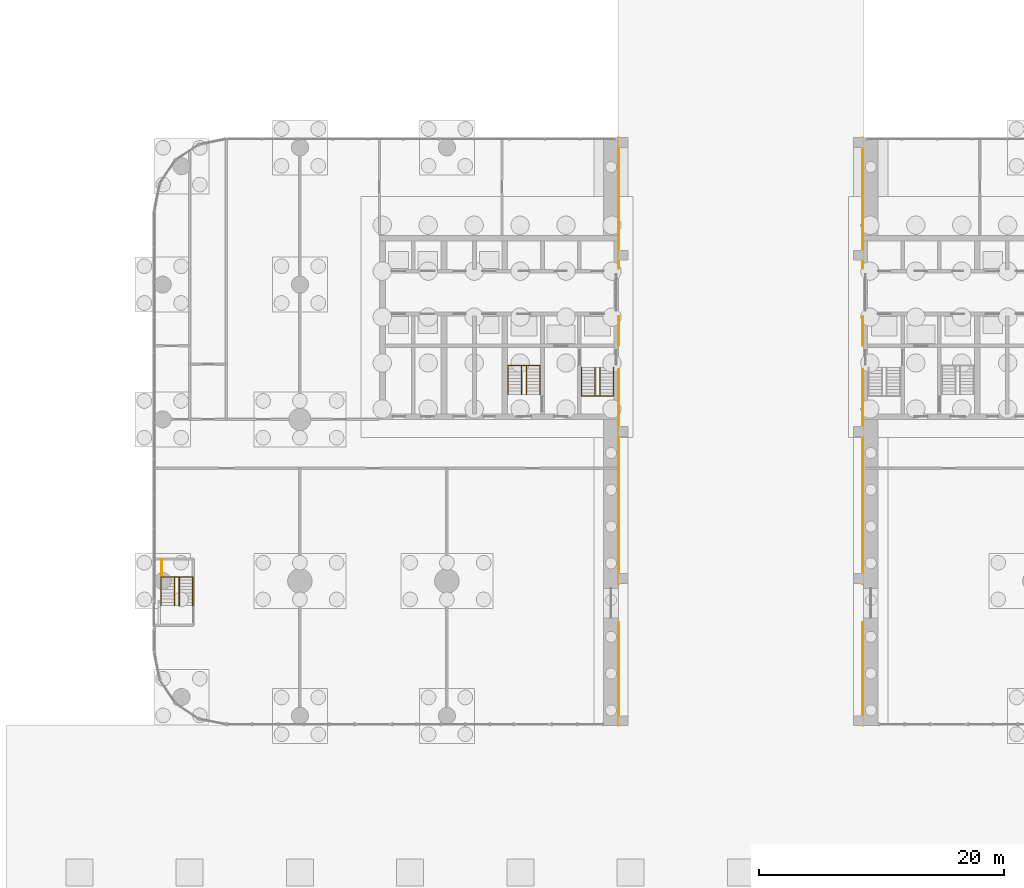
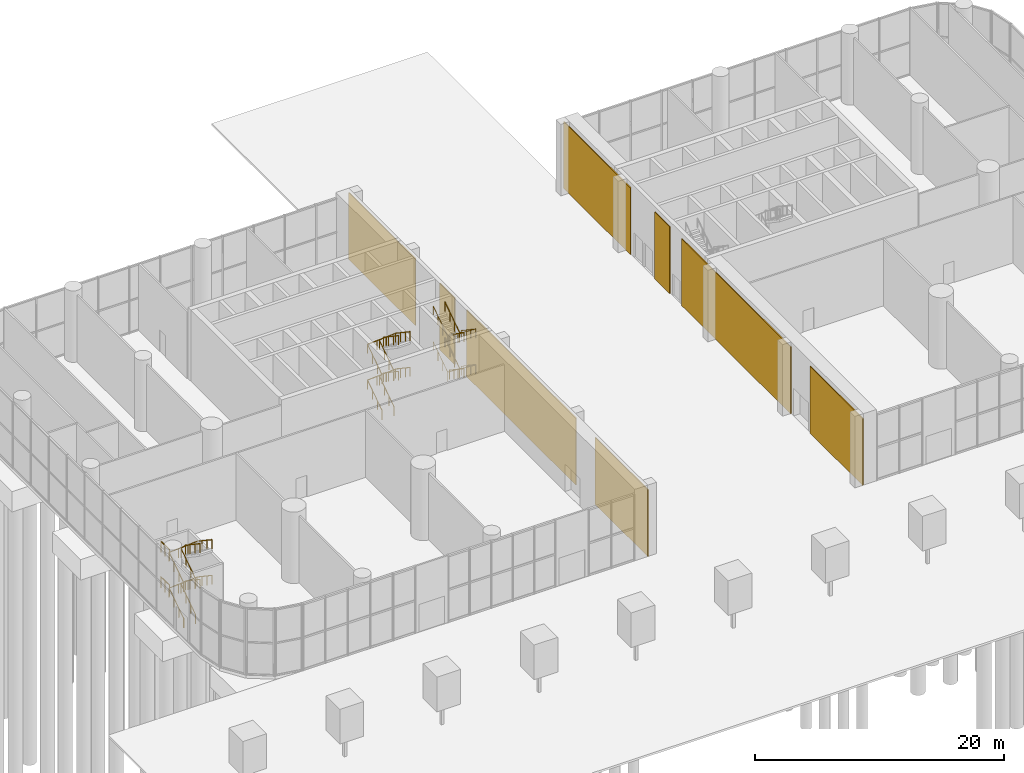
# One storey, part 23 of 26: 14 railings, 8 coverings.
"""IFC4 building model written with IfcOpenShell, lengths in metres."""

from ifc_helpers import new_model, si_unit, direction, frame, frame_2d, origin, origin_2d, place, context, subcontext, project, spatial, rectangle, circle, extrude, material, layer, layer_set, type_object, element, save


model = new_model("IFC4")

# Units and contexts
model_context = context("Model", 3, precision=1e-05, world=origin(), true_north=direction((0.0, 1.0)))
body_context = subcontext(model_context, "Body", "Model", "MODEL_VIEW")
ifc_project = project(units=[si_unit("LENGTHUNIT", "METRE"), si_unit("AREAUNIT", "SQUARE_METRE"), si_unit("VOLUMEUNIT", "CUBIC_METRE"), si_unit("PLANEANGLEUNIT", "RADIAN"), si_unit("MASSUNIT", "GRAM", prefix="KILO")], contexts=[model_context])

# Site, building, storey
site_placement = place(None, origin())
site = spatial("IfcSite", under=ifc_project, at=site_placement, CompositionType="ELEMENT")
building_placement = place(site_placement, origin())
building = spatial("IfcBuilding", under=site, at=building_placement, Name="Torana Hotel and Residences", CompositionType="ELEMENT")
storey_placement = place(building_placement, origin())
storey = spatial("IfcBuildingStorey", under=building, at=storey_placement, Name="L00", CompositionType="ELEMENT", Elevation=0.0)

# Coverings
ifc_material_1 = material(Name="Black metal cladding", Category="metal")
ifc_layer = layer(ifc_material_1, 0.080078125)
ifc_layer_set = layer_set([ifc_layer], Name="CL1 ARCH JAMB CLADDING 80")
covering_type = type_object("IfcCoveringType", Name="CL1 ARCH JAMB CLADDING 80", PredefinedType="CLADDING", material=ifc_layer_set)
covering_1_placement = place(storey_placement, frame((-9.9599609375, -40.0, 0.0), z_axis=(0.0, 0.0, 1.0), x_axis=(0.0, 1.0, 0.0)))
element("IfcCovering", 1, at=covering_1_placement, inside=storey, type_object=covering_type, Name="Arch jamb cladding L00 W", PredefinedType="CLADDING", context=body_context, shape_type="SweptSolid", body=[
    extrude(rectangle(XDim=8.449951171875, YDim=0.080078125, at=frame_2d((4.22509765625, 0.0))), origin(), (0.0, 0.0, 1.0), 6.550048828125),
])
covering_2_placement = place(storey_placement, frame((-9.9599609375, -28.449951171875, 0.0), z_axis=(0.0, 0.0, 1.0), x_axis=(0.0, 1.0, 0.0)))
element("IfcCovering", 2, at=covering_2_placement, inside=storey, type_object=covering_type, Name="Arch jamb cladding L00 W", PredefinedType="CLADDING", context=body_context, shape_type="SweptSolid", body=[
    extrude(rectangle(XDim=17.550048828125, YDim=0.080078125, at=frame_2d((8.77490234375, 0.0))), origin(), (0.0, 0.0, 1.0), 6.550048828125),
])
covering_3_placement = place(storey_placement, frame((-9.9599609375, -9.0, 0.0), z_axis=(0.0, 0.0, 1.0), x_axis=(0.0, 1.0, 0.0)))
element("IfcCovering", 3, at=covering_3_placement, inside=storey, type_object=covering_type, Name="Arch jamb cladding L00 W", PredefinedType="CLADDING", context=body_context, shape_type="SweptSolid", body=[
    extrude(rectangle(XDim=2.39990234375, YDim=0.080078125, at=frame_2d((1.199951171875, 0.0))), origin(), (0.0, 0.0, 1.0), 6.550048828125),
])
covering_4_placement = place(storey_placement, frame((-9.9599609375, -2.699951171875, 0.0), z_axis=(0.0, 0.0, 1.0), x_axis=(0.0, 1.0, 0.0)))
element("IfcCovering", 4, at=covering_4_placement, inside=storey, type_object=covering_type, Name="Arch jamb cladding L00 W", PredefinedType="CLADDING", context=body_context, shape_type="SweptSolid", body=[
    extrude(rectangle(XDim=10.699951171875, YDim=0.080078125, at=frame_2d((5.35009765625, 0.0))), origin(), (0.0, 0.0, 1.0), 6.550048828125),
])
covering_5_placement = place(storey_placement, frame((9.9599609375, -40.0, 0.0), z_axis=(0.0, 0.0, 1.0), x_axis=(0.0, 1.0, 0.0)))
element("IfcCovering", 5, at=covering_5_placement, inside=storey, type_object=covering_type, Name="Arch jamb cladding L00 E", PredefinedType="CLADDING", context=body_context, shape_type="SweptSolid", body=[
    extrude(rectangle(XDim=8.449951171875, YDim=0.080078125, at=frame_2d((4.22509765625, 0.0))), origin(), (0.0, 0.0, 1.0), 6.550048828125),
])
covering_6_placement = place(storey_placement, frame((9.9599609375, -28.449951171875, 0.0), z_axis=(0.0, 0.0, 1.0), x_axis=(0.0, 1.0, 0.0)))
element("IfcCovering", 6, at=covering_6_placement, inside=storey, type_object=covering_type, Name="Arch jamb cladding L00 E", PredefinedType="CLADDING", context=body_context, shape_type="SweptSolid", body=[
    extrude(rectangle(XDim=17.550048828125, YDim=0.080078125, at=frame_2d((8.77490234375, 0.0))), origin(), (0.0, 0.0, 1.0), 6.550048828125),
])
covering_7_placement = place(storey_placement, frame((9.9599609375, -9.0, 0.0), z_axis=(0.0, 0.0, 1.0), x_axis=(0.0, 1.0, 0.0)))
element("IfcCovering", 7, at=covering_7_placement, inside=storey, type_object=covering_type, Name="Arch jamb cladding L00 E", PredefinedType="CLADDING", context=body_context, shape_type="SweptSolid", body=[
    extrude(rectangle(XDim=2.39990234375, YDim=0.080078125, at=frame_2d((1.199951171875, 0.0))), origin(), (0.0, 0.0, 1.0), 6.550048828125),
])
covering_8_placement = place(storey_placement, frame((9.9599609375, -2.699951171875, 0.0), z_axis=(0.0, 0.0, 1.0), x_axis=(0.0, 1.0, 0.0)))
element("IfcCovering", 8, at=covering_8_placement, inside=storey, type_object=covering_type, Name="Arch jamb cladding L00 E", PredefinedType="CLADDING", context=body_context, shape_type="SweptSolid", body=[
    extrude(rectangle(XDim=10.699951171875, YDim=0.080078125, at=frame_2d((5.35009765625, 0.0))), origin(), (0.0, 0.0, 1.0), 6.550048828125),
])

# Railings
ifc_material_2 = material(Name="Steel S355", Category="steel")
railing_type_1 = type_object("IfcRailingType", Name="STAIR GUARD GR2 1100", PredefinedType="GUARDRAIL", material=ifc_material_2)
for number, where, name in (
    (9, (-47.280029296875, -27.760009765625, 1.75), "Stair guard ST5 L00 landing 1"),
    (10, (-47.280029296875, -27.760009765625, 5.25), "Stair guard ST5 L00 landing 2"),
):
    element("IfcRailing", number, at=place(storey_placement, frame(where)), inside=storey, type_object=railing_type_1, Name=name, PredefinedType="GUARDRAIL", context=body_context, shape_type="SweptSolid", body=[
        extrude(circle(Radius=0.02392578125, at=origin_2d()), frame((0.0, 0.0, 1.076171875), z_axis=(0.0, 1.0, 0.0), x_axis=(-1.0, 0.0, 0.0)), (0.0, 0.0, 1.0), 1.360107421875),
        extrude(circle(Radius=0.02099609375, at=origin_2d()), origin(), (0.0, 0.0, 1.0), 1.052001953125),
        extrude(circle(Radius=0.02099609375, at=origin_2d()), frame((0.0, 0.68017578125, 0.0)), (0.0, 0.0, 1.0), 1.052001953125),
        extrude(circle(Radius=0.02099609375, at=origin_2d()), frame((0.0, 1.360107421875, 0.0)), (0.0, 0.0, 1.0), 1.052001953125),
    ])
ifc_material_3 = material(Name="Stainless steel 316", Category="steel")
railing_type_2 = type_object("IfcRailingType", Name="STAIR HANDRAIL HR1 900", PredefinedType="HANDRAIL", material=ifc_material_3)
railing_1_placement = place(storey_placement, frame((-10.39990234375, -10.75, 0.175048828125)))
element("IfcRailing", 11, at=railing_1_placement, inside=storey, type_object=railing_type_2, Name="Handrail ST1 L00 O1", PredefinedType="HANDRAIL", context=body_context, shape_type="SweptSolid", body=[
    extrude(circle(Radius=0.02392578125, at=origin_2d()), frame((0.0, 0.0, 0.8759765625), z_axis=(0.0, -0.829605480656, 0.558350021462), x_axis=(1.0, 0.0, 0.0)), (0.0, 0.0, 1.0), 2.82080078125),
    extrude(circle(Radius=0.02392578125, at=origin_2d()), frame((0.0, -2.340087890625, 2.45068359375), z_axis=(-0.997741418201, 0.0, 0.067171887028), x_axis=(0.0, -1.0, 0.0)), (0.0, 0.0, 1.0), 2.60595703125),
    extrude(circle(Radius=0.02392578125, at=origin_2d()), frame((-2.60009765625, -2.340087890625, 2.6259765625), z_axis=(0.0, 0.829605480656, 0.558350021462), x_axis=(-1.0, 0.0, 0.0)), (0.0, 0.0, 1.0), 2.82080078125),
    extrude(circle(Radius=0.02099609375, at=origin_2d()), origin(), (0.0, 0.0, 1.0), 0.851806640625),
    extrude(circle(Radius=0.02099609375, at=origin_2d()), frame((0.0, -0.780029296875, 0.52490234375)), (0.0, 0.0, 1.0), 0.851806640625),
    extrude(circle(Radius=0.02099609375, at=origin_2d()), frame((0.0, -1.56005859375, 1.050048828125)), (0.0, 0.0, 1.0), 0.851806640625),
    extrude(circle(Radius=0.02099609375, at=origin_2d()), frame((0.0, -2.340087890625, 1.574951171875)), (0.0, 0.0, 1.0), 0.851806640625),
    extrude(circle(Radius=0.02099609375, at=origin_2d()), frame((-0.86669921875, -2.340087890625, 1.63330078125)), (0.0, 0.0, 1.0), 0.851806640625),
    extrude(circle(Radius=0.02099609375, at=origin_2d()), frame((-1.7333984375, -2.340087890625, 1.691650390625)), (0.0, 0.0, 1.0), 0.851806640625),
    extrude(circle(Radius=0.02099609375, at=origin_2d()), frame((-2.60009765625, -2.340087890625, 1.75)), (0.0, 0.0, 1.0), 0.851806640625),
    extrude(circle(Radius=0.02099609375, at=origin_2d()), frame((-2.60009765625, -1.56005859375, 2.27490234375)), (0.0, 0.0, 1.0), 0.851806640625),
    extrude(circle(Radius=0.02099609375, at=origin_2d()), frame((-2.60009765625, -0.780029296875, 2.800048828125)), (0.0, 0.0, 1.0), 0.851806640625),
    extrude(circle(Radius=0.02099609375, at=origin_2d()), frame((-2.60009765625, 0.0, 3.324951171875)), (0.0, 0.0, 1.0), 0.851806640625),
])
railing_2_placement = place(storey_placement, frame((-11.5, -10.75, 0.175048828125)))
element("IfcRailing", 12, at=railing_2_placement, inside=storey, type_object=railing_type_2, Name="Handrail ST1 L00 I1", PredefinedType="HANDRAIL", context=body_context, shape_type="SweptSolid", body=[
    extrude(circle(Radius=0.02392578125, at=origin_2d()), frame((0.0, 0.0, 0.8759765625), z_axis=(0.0, -0.829605480656, 0.558350021462), x_axis=(1.0, 0.0, 0.0)), (0.0, 0.0, 1.0), 2.82080078125),
    extrude(circle(Radius=0.02392578125, at=origin_2d()), frame((0.0, -2.340087890625, 2.45068359375), z_axis=(-0.916080304094, 0.0, 0.400994858385), x_axis=(0.0, -1.0, 0.0)), (0.0, 0.0, 1.0), 0.4365234375),
    extrude(circle(Radius=0.02392578125, at=origin_2d()), frame((-0.39990234375, -2.340087890625, 2.6259765625), z_axis=(0.0, 0.829605480656, 0.558350021462), x_axis=(-1.0, 0.0, 0.0)), (0.0, 0.0, 1.0), 2.82080078125),
    extrude(circle(Radius=0.02099609375, at=origin_2d()), origin(), (0.0, 0.0, 1.0), 0.851806640625),
    extrude(circle(Radius=0.02099609375, at=origin_2d()), frame((0.0, -0.780029296875, 0.52490234375)), (0.0, 0.0, 1.0), 0.851806640625),
    extrude(circle(Radius=0.02099609375, at=origin_2d()), frame((0.0, -1.56005859375, 1.050048828125)), (0.0, 0.0, 1.0), 0.851806640625),
    extrude(circle(Radius=0.02099609375, at=origin_2d()), frame((0.0, -2.340087890625, 1.574951171875)), (0.0, 0.0, 1.0), 0.851806640625),
    extrude(circle(Radius=0.02099609375, at=origin_2d()), frame((-0.39990234375, -2.340087890625, 1.75)), (0.0, 0.0, 1.0), 0.851806640625),
    extrude(circle(Radius=0.02099609375, at=origin_2d()), frame((-0.39990234375, -1.56005859375, 2.27490234375)), (0.0, 0.0, 1.0), 0.851806640625),
    extrude(circle(Radius=0.02099609375, at=origin_2d()), frame((-0.39990234375, -0.780029296875, 2.800048828125)), (0.0, 0.0, 1.0), 0.851806640625),
    extrude(circle(Radius=0.02099609375, at=origin_2d()), frame((-0.39990234375, 0.0, 3.324951171875)), (0.0, 0.0, 1.0), 0.851806640625),
])
railing_3_placement = place(storey_placement, frame((-10.39990234375, -10.75, 3.675048828125)))
element("IfcRailing", 13, at=railing_3_placement, inside=storey, type_object=railing_type_2, Name="Handrail ST1 L00 O2", PredefinedType="HANDRAIL", context=body_context, shape_type="SweptSolid", body=[
    extrude(circle(Radius=0.02392578125, at=origin_2d()), frame((0.0, 0.0, 0.8759765625), z_axis=(0.0, -0.829605480656, 0.558350021462), x_axis=(1.0, 0.0, 0.0)), (0.0, 0.0, 1.0), 2.82080078125),
    extrude(circle(Radius=0.02392578125, at=origin_2d()), frame((0.0, -2.340087890625, 2.45068359375), z_axis=(-0.997741418201, 0.0, 0.067171887028), x_axis=(0.0, -1.0, 0.0)), (0.0, 0.0, 1.0), 2.60595703125),
    extrude(circle(Radius=0.02392578125, at=origin_2d()), frame((-2.60009765625, -2.340087890625, 2.6259765625), z_axis=(0.0, 0.829605480656, 0.558350021462), x_axis=(-1.0, 0.0, 0.0)), (0.0, 0.0, 1.0), 2.82080078125),
    extrude(circle(Radius=0.02099609375, at=origin_2d()), origin(), (0.0, 0.0, 1.0), 0.851806640625),
    extrude(circle(Radius=0.02099609375, at=origin_2d()), frame((0.0, -0.780029296875, 0.52490234375)), (0.0, 0.0, 1.0), 0.851806640625),
    extrude(circle(Radius=0.02099609375, at=origin_2d()), frame((0.0, -1.56005859375, 1.050048828125)), (0.0, 0.0, 1.0), 0.851806640625),
    extrude(circle(Radius=0.02099609375, at=origin_2d()), frame((0.0, -2.340087890625, 1.574951171875)), (0.0, 0.0, 1.0), 0.851806640625),
    extrude(circle(Radius=0.02099609375, at=origin_2d()), frame((-0.86669921875, -2.340087890625, 1.63330078125)), (0.0, 0.0, 1.0), 0.851806640625),
    extrude(circle(Radius=0.02099609375, at=origin_2d()), frame((-1.7333984375, -2.340087890625, 1.691650390625)), (0.0, 0.0, 1.0), 0.851806640625),
    extrude(circle(Radius=0.02099609375, at=origin_2d()), frame((-2.60009765625, -2.340087890625, 1.75)), (0.0, 0.0, 1.0), 0.851806640625),
    extrude(circle(Radius=0.02099609375, at=origin_2d()), frame((-2.60009765625, -1.56005859375, 2.27490234375)), (0.0, 0.0, 1.0), 0.851806640625),
    extrude(circle(Radius=0.02099609375, at=origin_2d()), frame((-2.60009765625, -0.780029296875, 2.800048828125)), (0.0, 0.0, 1.0), 0.851806640625),
    extrude(circle(Radius=0.02099609375, at=origin_2d()), frame((-2.60009765625, 0.0, 3.324951171875)), (0.0, 0.0, 1.0), 0.851806640625),
])
railing_4_placement = place(storey_placement, frame((-11.5, -10.75, 3.675048828125)))
element("IfcRailing", 14, at=railing_4_placement, inside=storey, type_object=railing_type_2, Name="Handrail ST1 L00 I2", PredefinedType="HANDRAIL", context=body_context, shape_type="SweptSolid", body=[
    extrude(circle(Radius=0.02392578125, at=origin_2d()), frame((0.0, 0.0, 0.8759765625), z_axis=(0.0, -0.829605480656, 0.558350021462), x_axis=(1.0, 0.0, 0.0)), (0.0, 0.0, 1.0), 2.82080078125),
    extrude(circle(Radius=0.02392578125, at=origin_2d()), frame((0.0, -2.340087890625, 2.45068359375), z_axis=(-0.916080304094, 0.0, 0.400994858385), x_axis=(0.0, -1.0, 0.0)), (0.0, 0.0, 1.0), 0.4365234375),
    extrude(circle(Radius=0.02392578125, at=origin_2d()), frame((-0.39990234375, -2.340087890625, 2.6259765625), z_axis=(0.0, 0.829605480656, 0.558350021462), x_axis=(-1.0, 0.0, 0.0)), (0.0, 0.0, 1.0), 2.82080078125),
    extrude(circle(Radius=0.02099609375, at=origin_2d()), origin(), (0.0, 0.0, 1.0), 0.851806640625),
    extrude(circle(Radius=0.02099609375, at=origin_2d()), frame((0.0, -0.780029296875, 0.52490234375)), (0.0, 0.0, 1.0), 0.851806640625),
    extrude(circle(Radius=0.02099609375, at=origin_2d()), frame((0.0, -1.56005859375, 1.050048828125)), (0.0, 0.0, 1.0), 0.851806640625),
    extrude(circle(Radius=0.02099609375, at=origin_2d()), frame((0.0, -2.340087890625, 1.574951171875)), (0.0, 0.0, 1.0), 0.851806640625),
    extrude(circle(Radius=0.02099609375, at=origin_2d()), frame((-0.39990234375, -2.340087890625, 1.75)), (0.0, 0.0, 1.0), 0.851806640625),
    extrude(circle(Radius=0.02099609375, at=origin_2d()), frame((-0.39990234375, -1.56005859375, 2.27490234375)), (0.0, 0.0, 1.0), 0.851806640625),
    extrude(circle(Radius=0.02099609375, at=origin_2d()), frame((-0.39990234375, -0.780029296875, 2.800048828125)), (0.0, 0.0, 1.0), 0.851806640625),
    extrude(circle(Radius=0.02099609375, at=origin_2d()), frame((-0.39990234375, 0.0, 3.324951171875)), (0.0, 0.0, 1.0), 0.851806640625),
])
railing_5_placement = place(storey_placement, frame((-19.0, -12.949951171875, 0.175048828125)))
element("IfcRailing", 15, at=railing_5_placement, inside=storey, type_object=railing_type_2, Name="Handrail ST2 L00 O1", PredefinedType="HANDRAIL", context=body_context, shape_type="SweptSolid", body=[
    extrude(circle(Radius=0.02392578125, at=origin_2d()), frame((0.0, 0.0, 0.8759765625), z_axis=(0.0, 0.829578494604, 0.558390115681), x_axis=(-1.0, 0.0, 0.0)), (0.0, 0.0, 1.0), 2.820556640625),
    extrude(circle(Radius=0.02392578125, at=origin_2d()), frame((0.0, 2.33984375, 2.45068359375), z_axis=(0.997741418201, 0.0, 0.067171887028), x_axis=(0.0, 1.0, 0.0)), (0.0, 0.0, 1.0), 2.60595703125),
    extrude(circle(Radius=0.02392578125, at=origin_2d()), frame((2.60009765625, 2.33984375, 2.6259765625), z_axis=(0.0, -0.829578494604, 0.558390115681), x_axis=(1.0, 0.0, 0.0)), (0.0, 0.0, 1.0), 2.820556640625),
    extrude(circle(Radius=0.02099609375, at=origin_2d()), origin(), (0.0, 0.0, 1.0), 0.851806640625),
    extrude(circle(Radius=0.02099609375, at=origin_2d()), frame((0.0, 0.780029296875, 0.52490234375)), (0.0, 0.0, 1.0), 0.851806640625),
    extrude(circle(Radius=0.02099609375, at=origin_2d()), frame((0.0, 1.559814453125, 1.050048828125)), (0.0, 0.0, 1.0), 0.851806640625),
    extrude(circle(Radius=0.02099609375, at=origin_2d()), frame((0.0, 2.33984375, 1.574951171875)), (0.0, 0.0, 1.0), 0.851806640625),
    extrude(circle(Radius=0.02099609375, at=origin_2d()), frame((0.86669921875, 2.33984375, 1.63330078125)), (0.0, 0.0, 1.0), 0.851806640625),
    extrude(circle(Radius=0.02099609375, at=origin_2d()), frame((1.7333984375, 2.33984375, 1.691650390625)), (0.0, 0.0, 1.0), 0.851806640625),
    extrude(circle(Radius=0.02099609375, at=origin_2d()), frame((2.60009765625, 2.33984375, 1.75)), (0.0, 0.0, 1.0), 0.851806640625),
    extrude(circle(Radius=0.02099609375, at=origin_2d()), frame((2.60009765625, 1.559814453125, 2.27490234375)), (0.0, 0.0, 1.0), 0.851806640625),
    extrude(circle(Radius=0.02099609375, at=origin_2d()), frame((2.60009765625, 0.780029296875, 2.800048828125)), (0.0, 0.0, 1.0), 0.851806640625),
    extrude(circle(Radius=0.02099609375, at=origin_2d()), frame((2.60009765625, 0.0, 3.324951171875)), (0.0, 0.0, 1.0), 0.851806640625),
])
railing_6_placement = place(storey_placement, frame((-17.89990234375, -12.949951171875, 0.175048828125)))
element("IfcRailing", 16, at=railing_6_placement, inside=storey, type_object=railing_type_2, Name="Handrail ST2 L00 I1", PredefinedType="HANDRAIL", context=body_context, shape_type="SweptSolid", body=[
    extrude(circle(Radius=0.02392578125, at=origin_2d()), frame((0.0, 0.0, 0.8759765625), z_axis=(0.0, 0.829578494604, 0.558390115681), x_axis=(-1.0, 0.0, 0.0)), (0.0, 0.0, 1.0), 2.820556640625),
    extrude(circle(Radius=0.02392578125, at=origin_2d()), frame((0.0, 2.33984375, 2.45068359375), z_axis=(0.916080304094, 0.0, 0.400994858385), x_axis=(0.0, 1.0, 0.0)), (0.0, 0.0, 1.0), 0.4365234375),
    extrude(circle(Radius=0.02392578125, at=origin_2d()), frame((0.39990234375, 2.33984375, 2.6259765625), z_axis=(0.0, -0.829578494604, 0.558390115681), x_axis=(1.0, 0.0, 0.0)), (0.0, 0.0, 1.0), 2.820556640625),
    extrude(circle(Radius=0.02099609375, at=origin_2d()), origin(), (0.0, 0.0, 1.0), 0.851806640625),
    extrude(circle(Radius=0.02099609375, at=origin_2d()), frame((0.0, 0.780029296875, 0.52490234375)), (0.0, 0.0, 1.0), 0.851806640625),
    extrude(circle(Radius=0.02099609375, at=origin_2d()), frame((0.0, 1.559814453125, 1.050048828125)), (0.0, 0.0, 1.0), 0.851806640625),
    extrude(circle(Radius=0.02099609375, at=origin_2d()), frame((0.0, 2.33984375, 1.574951171875)), (0.0, 0.0, 1.0), 0.851806640625),
    extrude(circle(Radius=0.02099609375, at=origin_2d()), frame((0.39990234375, 2.33984375, 1.75)), (0.0, 0.0, 1.0), 0.851806640625),
    extrude(circle(Radius=0.02099609375, at=origin_2d()), frame((0.39990234375, 1.559814453125, 2.27490234375)), (0.0, 0.0, 1.0), 0.851806640625),
    extrude(circle(Radius=0.02099609375, at=origin_2d()), frame((0.39990234375, 0.780029296875, 2.800048828125)), (0.0, 0.0, 1.0), 0.851806640625),
    extrude(circle(Radius=0.02099609375, at=origin_2d()), frame((0.39990234375, 0.0, 3.324951171875)), (0.0, 0.0, 1.0), 0.851806640625),
])
railing_7_placement = place(storey_placement, frame((-19.0, -12.949951171875, 3.675048828125)))
element("IfcRailing", 17, at=railing_7_placement, inside=storey, type_object=railing_type_2, Name="Handrail ST2 L00 O2", PredefinedType="HANDRAIL", context=body_context, shape_type="SweptSolid", body=[
    extrude(circle(Radius=0.02392578125, at=origin_2d()), frame((0.0, 0.0, 0.8759765625), z_axis=(0.0, 0.829578494604, 0.558390115681), x_axis=(-1.0, 0.0, 0.0)), (0.0, 0.0, 1.0), 2.820556640625),
    extrude(circle(Radius=0.02392578125, at=origin_2d()), frame((0.0, 2.33984375, 2.45068359375), z_axis=(0.997741418201, 0.0, 0.067171887028), x_axis=(0.0, 1.0, 0.0)), (0.0, 0.0, 1.0), 2.60595703125),
    extrude(circle(Radius=0.02392578125, at=origin_2d()), frame((2.60009765625, 2.33984375, 2.6259765625), z_axis=(0.0, -0.829578494604, 0.558390115681), x_axis=(1.0, 0.0, 0.0)), (0.0, 0.0, 1.0), 2.820556640625),
    extrude(circle(Radius=0.02099609375, at=origin_2d()), origin(), (0.0, 0.0, 1.0), 0.851806640625),
    extrude(circle(Radius=0.02099609375, at=origin_2d()), frame((0.0, 0.780029296875, 0.52490234375)), (0.0, 0.0, 1.0), 0.851806640625),
    extrude(circle(Radius=0.02099609375, at=origin_2d()), frame((0.0, 1.559814453125, 1.050048828125)), (0.0, 0.0, 1.0), 0.851806640625),
    extrude(circle(Radius=0.02099609375, at=origin_2d()), frame((0.0, 2.33984375, 1.574951171875)), (0.0, 0.0, 1.0), 0.851806640625),
    extrude(circle(Radius=0.02099609375, at=origin_2d()), frame((0.86669921875, 2.33984375, 1.63330078125)), (0.0, 0.0, 1.0), 0.851806640625),
    extrude(circle(Radius=0.02099609375, at=origin_2d()), frame((1.7333984375, 2.33984375, 1.691650390625)), (0.0, 0.0, 1.0), 0.851806640625),
    extrude(circle(Radius=0.02099609375, at=origin_2d()), frame((2.60009765625, 2.33984375, 1.75)), (0.0, 0.0, 1.0), 0.851806640625),
    extrude(circle(Radius=0.02099609375, at=origin_2d()), frame((2.60009765625, 1.559814453125, 2.27490234375)), (0.0, 0.0, 1.0), 0.851806640625),
    extrude(circle(Radius=0.02099609375, at=origin_2d()), frame((2.60009765625, 0.780029296875, 2.800048828125)), (0.0, 0.0, 1.0), 0.851806640625),
    extrude(circle(Radius=0.02099609375, at=origin_2d()), frame((2.60009765625, 0.0, 3.324951171875)), (0.0, 0.0, 1.0), 0.851806640625),
])
railing_8_placement = place(storey_placement, frame((-17.89990234375, -12.949951171875, 3.675048828125)))
element("IfcRailing", 18, at=railing_8_placement, inside=storey, type_object=railing_type_2, Name="Handrail ST2 L00 I2", PredefinedType="HANDRAIL", context=body_context, shape_type="SweptSolid", body=[
    extrude(circle(Radius=0.02392578125, at=origin_2d()), frame((0.0, 0.0, 0.8759765625), z_axis=(0.0, 0.829578494604, 0.558390115681), x_axis=(-1.0, 0.0, 0.0)), (0.0, 0.0, 1.0), 2.820556640625),
    extrude(circle(Radius=0.02392578125, at=origin_2d()), frame((0.0, 2.33984375, 2.45068359375), z_axis=(0.916080304094, 0.0, 0.400994858385), x_axis=(0.0, 1.0, 0.0)), (0.0, 0.0, 1.0), 0.4365234375),
    extrude(circle(Radius=0.02392578125, at=origin_2d()), frame((0.39990234375, 2.33984375, 2.6259765625), z_axis=(0.0, -0.829578494604, 0.558390115681), x_axis=(1.0, 0.0, 0.0)), (0.0, 0.0, 1.0), 2.820556640625),
    extrude(circle(Radius=0.02099609375, at=origin_2d()), origin(), (0.0, 0.0, 1.0), 0.851806640625),
    extrude(circle(Radius=0.02099609375, at=origin_2d()), frame((0.0, 0.780029296875, 0.52490234375)), (0.0, 0.0, 1.0), 0.851806640625),
    extrude(circle(Radius=0.02099609375, at=origin_2d()), frame((0.0, 1.559814453125, 1.050048828125)), (0.0, 0.0, 1.0), 0.851806640625),
    extrude(circle(Radius=0.02099609375, at=origin_2d()), frame((0.0, 2.33984375, 1.574951171875)), (0.0, 0.0, 1.0), 0.851806640625),
    extrude(circle(Radius=0.02099609375, at=origin_2d()), frame((0.39990234375, 2.33984375, 1.75)), (0.0, 0.0, 1.0), 0.851806640625),
    extrude(circle(Radius=0.02099609375, at=origin_2d()), frame((0.39990234375, 1.559814453125, 2.27490234375)), (0.0, 0.0, 1.0), 0.851806640625),
    extrude(circle(Radius=0.02099609375, at=origin_2d()), frame((0.39990234375, 0.780029296875, 2.800048828125)), (0.0, 0.0, 1.0), 0.851806640625),
    extrude(circle(Radius=0.02099609375, at=origin_2d()), frame((0.39990234375, 0.0, 3.324951171875)), (0.0, 0.0, 1.0), 0.851806640625),
])
railing_9_placement = place(storey_placement, frame((-47.35009765625, -30.199951171875, 0.175048828125)))
element("IfcRailing", 19, at=railing_9_placement, inside=storey, type_object=railing_type_2, Name="Handrail ST5 L00 O1", PredefinedType="HANDRAIL", context=body_context, shape_type="SweptSolid", body=[
    extrude(circle(Radius=0.02392578125, at=origin_2d()), frame((0.0, 0.0, 0.8759765625), z_axis=(0.0, 0.829578494604, 0.558390115681), x_axis=(-1.0, 0.0, 0.0)), (0.0, 0.0, 1.0), 2.820556640625),
    extrude(circle(Radius=0.02392578125, at=origin_2d()), frame((0.0, 2.33984375, 2.45068359375), z_axis=(0.997741418201, 0.0, 0.067171887028), x_axis=(0.0, 1.0, 0.0)), (0.0, 0.0, 1.0), 2.60595703125),
    extrude(circle(Radius=0.02392578125, at=origin_2d()), frame((2.60009765625, 2.33984375, 2.6259765625), z_axis=(0.0, -0.829578494604, 0.558390115681), x_axis=(1.0, 0.0, 0.0)), (0.0, 0.0, 1.0), 2.820556640625),
    extrude(circle(Radius=0.02099609375, at=origin_2d()), origin(), (0.0, 0.0, 1.0), 0.851806640625),
    extrude(circle(Radius=0.02099609375, at=origin_2d()), frame((0.0, 0.780029296875, 0.52490234375)), (0.0, 0.0, 1.0), 0.851806640625),
    extrude(circle(Radius=0.02099609375, at=origin_2d()), frame((0.0, 1.559814453125, 1.050048828125)), (0.0, 0.0, 1.0), 0.851806640625),
    extrude(circle(Radius=0.02099609375, at=origin_2d()), frame((0.0, 2.33984375, 1.574951171875)), (0.0, 0.0, 1.0), 0.851806640625),
    extrude(circle(Radius=0.02099609375, at=origin_2d()), frame((0.86669921875, 2.33984375, 1.63330078125)), (0.0, 0.0, 1.0), 0.851806640625),
    extrude(circle(Radius=0.02099609375, at=origin_2d()), frame((1.7333984375, 2.33984375, 1.691650390625)), (0.0, 0.0, 1.0), 0.851806640625),
    extrude(circle(Radius=0.02099609375, at=origin_2d()), frame((2.60009765625, 2.33984375, 1.75)), (0.0, 0.0, 1.0), 0.851806640625),
    extrude(circle(Radius=0.02099609375, at=origin_2d()), frame((2.60009765625, 1.559814453125, 2.27490234375)), (0.0, 0.0, 1.0), 0.851806640625),
    extrude(circle(Radius=0.02099609375, at=origin_2d()), frame((2.60009765625, 0.780029296875, 2.800048828125)), (0.0, 0.0, 1.0), 0.851806640625),
    extrude(circle(Radius=0.02099609375, at=origin_2d()), frame((2.60009765625, 0.0, 3.324951171875)), (0.0, 0.0, 1.0), 0.851806640625),
])
railing_10_placement = place(storey_placement, frame((-46.25, -30.199951171875, 0.175048828125)))
element("IfcRailing", 20, at=railing_10_placement, inside=storey, type_object=railing_type_2, Name="Handrail ST5 L00 I1", PredefinedType="HANDRAIL", context=body_context, shape_type="SweptSolid", body=[
    extrude(circle(Radius=0.02392578125, at=origin_2d()), frame((0.0, 0.0, 0.8759765625), z_axis=(0.0, 0.829578494604, 0.558390115681), x_axis=(-1.0, 0.0, 0.0)), (0.0, 0.0, 1.0), 2.820556640625),
    extrude(circle(Radius=0.02392578125, at=origin_2d()), frame((0.0, 2.33984375, 2.45068359375), z_axis=(0.916080304094, 0.0, 0.400994858385), x_axis=(0.0, 1.0, 0.0)), (0.0, 0.0, 1.0), 0.4365234375),
    extrude(circle(Radius=0.02392578125, at=origin_2d()), frame((0.39990234375, 2.33984375, 2.6259765625), z_axis=(0.0, -0.829578494604, 0.558390115681), x_axis=(1.0, 0.0, 0.0)), (0.0, 0.0, 1.0), 2.820556640625),
    extrude(circle(Radius=0.02099609375, at=origin_2d()), origin(), (0.0, 0.0, 1.0), 0.851806640625),
    extrude(circle(Radius=0.02099609375, at=origin_2d()), frame((0.0, 0.780029296875, 0.52490234375)), (0.0, 0.0, 1.0), 0.851806640625),
    extrude(circle(Radius=0.02099609375, at=origin_2d()), frame((0.0, 1.559814453125, 1.050048828125)), (0.0, 0.0, 1.0), 0.851806640625),
    extrude(circle(Radius=0.02099609375, at=origin_2d()), frame((0.0, 2.33984375, 1.574951171875)), (0.0, 0.0, 1.0), 0.851806640625),
    extrude(circle(Radius=0.02099609375, at=origin_2d()), frame((0.39990234375, 2.33984375, 1.75)), (0.0, 0.0, 1.0), 0.851806640625),
    extrude(circle(Radius=0.02099609375, at=origin_2d()), frame((0.39990234375, 1.559814453125, 2.27490234375)), (0.0, 0.0, 1.0), 0.851806640625),
    extrude(circle(Radius=0.02099609375, at=origin_2d()), frame((0.39990234375, 0.780029296875, 2.800048828125)), (0.0, 0.0, 1.0), 0.851806640625),
    extrude(circle(Radius=0.02099609375, at=origin_2d()), frame((0.39990234375, 0.0, 3.324951171875)), (0.0, 0.0, 1.0), 0.851806640625),
])
railing_11_placement = place(storey_placement, frame((-47.35009765625, -30.199951171875, 3.675048828125)))
element("IfcRailing", 21, at=railing_11_placement, inside=storey, type_object=railing_type_2, Name="Handrail ST5 L00 O2", PredefinedType="HANDRAIL", context=body_context, shape_type="SweptSolid", body=[
    extrude(circle(Radius=0.02392578125, at=origin_2d()), frame((0.0, 0.0, 0.8759765625), z_axis=(0.0, 0.829578494604, 0.558390115681), x_axis=(-1.0, 0.0, 0.0)), (0.0, 0.0, 1.0), 2.820556640625),
    extrude(circle(Radius=0.02392578125, at=origin_2d()), frame((0.0, 2.33984375, 2.45068359375), z_axis=(0.997741418201, 0.0, 0.067171887028), x_axis=(0.0, 1.0, 0.0)), (0.0, 0.0, 1.0), 2.60595703125),
    extrude(circle(Radius=0.02392578125, at=origin_2d()), frame((2.60009765625, 2.33984375, 2.6259765625), z_axis=(0.0, -0.829578494604, 0.558390115681), x_axis=(1.0, 0.0, 0.0)), (0.0, 0.0, 1.0), 2.820556640625),
    extrude(circle(Radius=0.02099609375, at=origin_2d()), origin(), (0.0, 0.0, 1.0), 0.851806640625),
    extrude(circle(Radius=0.02099609375, at=origin_2d()), frame((0.0, 0.780029296875, 0.52490234375)), (0.0, 0.0, 1.0), 0.851806640625),
    extrude(circle(Radius=0.02099609375, at=origin_2d()), frame((0.0, 1.559814453125, 1.050048828125)), (0.0, 0.0, 1.0), 0.851806640625),
    extrude(circle(Radius=0.02099609375, at=origin_2d()), frame((0.0, 2.33984375, 1.574951171875)), (0.0, 0.0, 1.0), 0.851806640625),
    extrude(circle(Radius=0.02099609375, at=origin_2d()), frame((0.86669921875, 2.33984375, 1.63330078125)), (0.0, 0.0, 1.0), 0.851806640625),
    extrude(circle(Radius=0.02099609375, at=origin_2d()), frame((1.7333984375, 2.33984375, 1.691650390625)), (0.0, 0.0, 1.0), 0.851806640625),
    extrude(circle(Radius=0.02099609375, at=origin_2d()), frame((2.60009765625, 2.33984375, 1.75)), (0.0, 0.0, 1.0), 0.851806640625),
    extrude(circle(Radius=0.02099609375, at=origin_2d()), frame((2.60009765625, 1.559814453125, 2.27490234375)), (0.0, 0.0, 1.0), 0.851806640625),
    extrude(circle(Radius=0.02099609375, at=origin_2d()), frame((2.60009765625, 0.780029296875, 2.800048828125)), (0.0, 0.0, 1.0), 0.851806640625),
    extrude(circle(Radius=0.02099609375, at=origin_2d()), frame((2.60009765625, 0.0, 3.324951171875)), (0.0, 0.0, 1.0), 0.851806640625),
])
railing_12_placement = place(storey_placement, frame((-46.25, -30.199951171875, 3.675048828125)))
element("IfcRailing", 22, at=railing_12_placement, inside=storey, type_object=railing_type_2, Name="Handrail ST5 L00 I2", PredefinedType="HANDRAIL", context=body_context, shape_type="SweptSolid", body=[
    extrude(circle(Radius=0.02392578125, at=origin_2d()), frame((0.0, 0.0, 0.8759765625), z_axis=(0.0, 0.829578494604, 0.558390115681), x_axis=(-1.0, 0.0, 0.0)), (0.0, 0.0, 1.0), 2.820556640625),
    extrude(circle(Radius=0.02392578125, at=origin_2d()), frame((0.0, 2.33984375, 2.45068359375), z_axis=(0.916080304094, 0.0, 0.400994858385), x_axis=(0.0, 1.0, 0.0)), (0.0, 0.0, 1.0), 0.4365234375),
    extrude(circle(Radius=0.02392578125, at=origin_2d()), frame((0.39990234375, 2.33984375, 2.6259765625), z_axis=(0.0, -0.829578494604, 0.558390115681), x_axis=(1.0, 0.0, 0.0)), (0.0, 0.0, 1.0), 2.820556640625),
    extrude(circle(Radius=0.02099609375, at=origin_2d()), origin(), (0.0, 0.0, 1.0), 0.851806640625),
    extrude(circle(Radius=0.02099609375, at=origin_2d()), frame((0.0, 0.780029296875, 0.52490234375)), (0.0, 0.0, 1.0), 0.851806640625),
    extrude(circle(Radius=0.02099609375, at=origin_2d()), frame((0.0, 1.559814453125, 1.050048828125)), (0.0, 0.0, 1.0), 0.851806640625),
    extrude(circle(Radius=0.02099609375, at=origin_2d()), frame((0.0, 2.33984375, 1.574951171875)), (0.0, 0.0, 1.0), 0.851806640625),
    extrude(circle(Radius=0.02099609375, at=origin_2d()), frame((0.39990234375, 2.33984375, 1.75)), (0.0, 0.0, 1.0), 0.851806640625),
    extrude(circle(Radius=0.02099609375, at=origin_2d()), frame((0.39990234375, 1.559814453125, 2.27490234375)), (0.0, 0.0, 1.0), 0.851806640625),
    extrude(circle(Radius=0.02099609375, at=origin_2d()), frame((0.39990234375, 0.780029296875, 2.800048828125)), (0.0, 0.0, 1.0), 0.851806640625),
    extrude(circle(Radius=0.02099609375, at=origin_2d()), frame((0.39990234375, 0.0, 3.324951171875)), (0.0, 0.0, 1.0), 0.851806640625),
])

save(model, "model.ifc")
